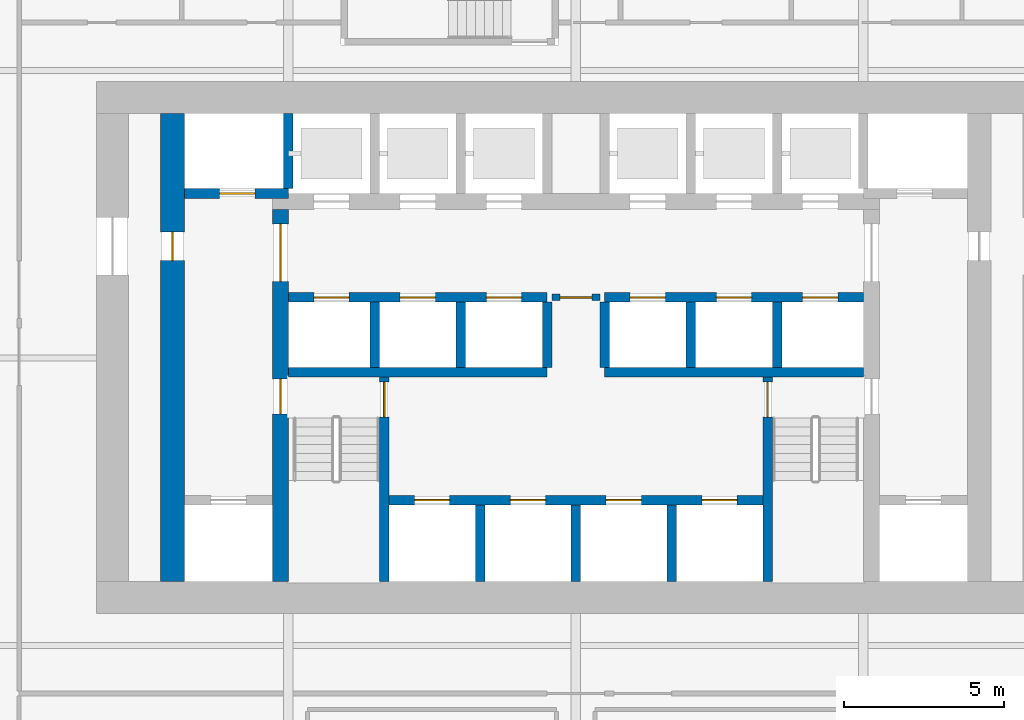
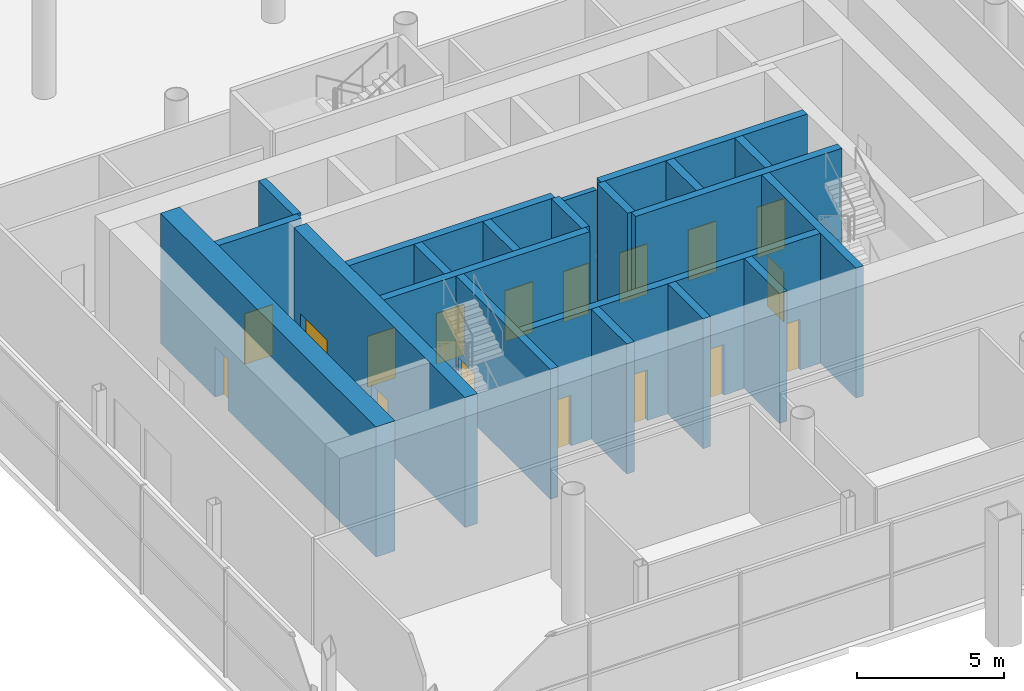
# One storey, part 9 of 13: 21 walls, 17 doors, 17 openings.
"""IFC4 building model written with IfcOpenShell, lengths in metres."""

from ifc_helpers import new_model, si_unit, direction, frame, frame_2d, origin, place, context, subcontext, project, spatial, rectangle, extrude, material, layer, layer_set, type_object, element, fill, save


model = new_model("IFC4")

# Units and contexts
model_context = context("Model", 3, precision=1e-05, world=origin(), true_north=direction((0.0, 1.0)))
body_context = subcontext(model_context, "Body", "Model", "MODEL_VIEW")
ifc_project = project(units=[si_unit("LENGTHUNIT", "METRE"), si_unit("AREAUNIT", "SQUARE_METRE"), si_unit("VOLUMEUNIT", "CUBIC_METRE"), si_unit("PLANEANGLEUNIT", "RADIAN"), si_unit("MASSUNIT", "GRAM", prefix="KILO")], contexts=[model_context])

# Site, building, storey
site_placement = place(None, origin())
site = spatial("IfcSite", under=ifc_project, at=site_placement, CompositionType="ELEMENT")
building_placement = place(site_placement, origin())
building = spatial("IfcBuilding", under=site, at=building_placement, Name="Tskaro Facet Tower", CompositionType="ELEMENT")
storey_placement = place(building_placement, frame((0.0, 0.0, 108.89990234375)))
storey = spatial("IfcBuildingStorey", under=building, at=storey_placement, Name="L26", CompositionType="ELEMENT", Elevation=108.89990234375)

# Wall, openings, doors
ifc_material_1 = material(Name="Concrete C60/75", Category="concrete")
ifc_layer_1 = layer(ifc_material_1, 0.300048828125, Name="Concrete C60/75")
ifc_layer_set_1 = layer_set([ifc_layer_1], Name="Concrete C60/75")
wall_type_1 = type_object("IfcWallType", Name="CORE-SHAFT", PredefinedType="SHEAR", material=ifc_layer_set_1)
wall_1_placement = place(storey_placement, frame((-5.85009765625, -8.949951171875, 0.0), z_axis=(0.0, 0.0, 1.0), x_axis=(1.0, 0.0, 0.0)))
wall_1 = element("IfcWall", 1, at=wall_1_placement, inside=storey, type_object=wall_type_1, Name="Shaft wall W007", PredefinedType="SHEAR", context=body_context, shape_type="SweptSolid", body=[
    extrude(rectangle(XDim=11.7001953125, YDim=0.300048828125, at=frame_2d((5.85009765625, 0.0))), origin(), (0.0, 0.0, 1.0), 5.400146484375),
])
opening_1_placement = place(wall_1_placement, frame((0.800048828125, 0.0, 0.0)))
opening_1 = element("IfcOpeningElement", 2, at=opening_1_placement, cuts=wall_1, Name="Opening LD-FF1", PredefinedType="OPENING", context=body_context, shape_type="SweptSolid", body=[
    extrude(rectangle(XDim=1.10009765625, YDim=2.10009765625, at=frame_2d((0.550048828125, 1.050048828125))), frame((0.0, 0.159912109375, 0.0), z_axis=(0.0, -1.0, 0.0), x_axis=(1.0, 0.0, 0.0)), (0.0, 0.0, 1.0), 0.320068359375),
])
opening_2_placement = place(wall_1_placement, frame((3.800048828125, 0.0, 0.0)))
opening_2 = element("IfcOpeningElement", 3, at=opening_2_placement, cuts=wall_1, Name="Opening LD-FF2", PredefinedType="OPENING", context=body_context, shape_type="SweptSolid", body=[
    extrude(rectangle(XDim=1.10009765625, YDim=2.10009765625, at=frame_2d((0.550048828125, 1.050048828125))), frame((0.0, 0.159912109375, 0.0), z_axis=(0.0, -1.0, 0.0), x_axis=(1.0, 0.0, 0.0)), (0.0, 0.0, 1.0), 0.320068359375),
])
opening_3_placement = place(wall_1_placement, frame((6.800048828125, 0.0, 0.0)))
opening_3 = element("IfcOpeningElement", 4, at=opening_3_placement, cuts=wall_1, Name="Opening LD-SV1", PredefinedType="OPENING", context=body_context, shape_type="SweptSolid", body=[
    extrude(rectangle(XDim=1.10009765625, YDim=2.10009765625, at=frame_2d((0.550048828125, 1.050048828125))), frame((0.0, 0.159912109375, 0.0), z_axis=(0.0, -1.0, 0.0), x_axis=(1.0, 0.0, 0.0)), (0.0, 0.0, 1.0), 0.320068359375),
])
opening_4_placement = place(wall_1_placement, frame((9.800048828125, 0.0, 0.0)))
opening_4 = element("IfcOpeningElement", 5, at=opening_4_placement, cuts=wall_1, Name="Opening LD-SV2", PredefinedType="OPENING", context=body_context, shape_type="SweptSolid", body=[
    extrude(rectangle(XDim=1.10009765625, YDim=2.10009765625, at=frame_2d((0.550048828125, 1.050048828125))), frame((0.0, 0.159912109375, 0.0), z_axis=(0.0, -1.0, 0.0), x_axis=(1.0, 0.0, 0.0)), (0.0, 0.0, 1.0), 0.320068359375),
])
ifc_material_2 = material(Name="Stainless steel", Category="steel")
door_type_1 = type_object("IfcDoorType", Name="D-LANDING", OperationType="NOTDEFINED", PredefinedType="DOOR", material=ifc_material_2)
door_1_placement = place(opening_1_placement, origin())
door_1 = element("IfcDoor", 6, at=door_1_placement, inside=storey, type_object=door_type_1, Name="Landing door FF1", OperationType="DOUBLE_DOOR_SLIDING", OverallHeight=2.10009765625, OverallWidth=1.10009765625, PredefinedType="DOOR", context=body_context, shape_type="SweptSolid", body=[
    extrude(rectangle(XDim=1.10009765625, YDim=2.10009765625, at=frame_2d((0.550048828125, 1.050048828125))), frame((0.0, 0.02490234375, 0.0), z_axis=(0.0, -1.0, 0.0), x_axis=(1.0, 0.0, 0.0)), (0.0, 0.0, 1.0), 0.050048828125),
])
fill(opening_1, door_1)
door_2_placement = place(opening_2_placement, origin())
door_2 = element("IfcDoor", 7, at=door_2_placement, inside=storey, type_object=door_type_1, Name="Landing door FF2", OperationType="DOUBLE_DOOR_SLIDING", OverallHeight=2.10009765625, OverallWidth=1.10009765625, PredefinedType="DOOR", context=body_context, shape_type="SweptSolid", body=[
    extrude(rectangle(XDim=1.10009765625, YDim=2.10009765625, at=frame_2d((0.550048828125, 1.050048828125))), frame((0.0, 0.02490234375, 0.0), z_axis=(0.0, -1.0, 0.0), x_axis=(1.0, 0.0, 0.0)), (0.0, 0.0, 1.0), 0.050048828125),
])
fill(opening_2, door_2)
door_3_placement = place(opening_3_placement, origin())
door_3 = element("IfcDoor", 8, at=door_3_placement, inside=storey, type_object=door_type_1, Name="Landing door SV1", OperationType="DOUBLE_DOOR_SLIDING", OverallHeight=2.10009765625, OverallWidth=1.10009765625, PredefinedType="DOOR", context=body_context, shape_type="SweptSolid", body=[
    extrude(rectangle(XDim=1.10009765625, YDim=2.10009765625, at=frame_2d((0.550048828125, 1.050048828125))), frame((0.0, 0.02490234375, 0.0), z_axis=(0.0, -1.0, 0.0), x_axis=(1.0, 0.0, 0.0)), (0.0, 0.0, 1.0), 0.050048828125),
])
fill(opening_3, door_3)
door_4_placement = place(opening_4_placement, origin())
door_4 = element("IfcDoor", 9, at=door_4_placement, inside=storey, type_object=door_type_1, Name="Landing door SV2", OperationType="DOUBLE_DOOR_SLIDING", OverallHeight=2.10009765625, OverallWidth=1.10009765625, PredefinedType="DOOR", context=body_context, shape_type="SweptSolid", body=[
    extrude(rectangle(XDim=1.10009765625, YDim=2.10009765625, at=frame_2d((0.550048828125, 1.050048828125))), frame((0.0, 0.02490234375, 0.0), z_axis=(0.0, -1.0, 0.0), x_axis=(1.0, 0.0, 0.0)), (0.0, 0.0, 1.0), 0.050048828125),
])
fill(opening_4, door_4)

# Walls
for number, where, z_axis, x_axis, name in (
    (10, (-9.0, -4.949951171875, 0.0), (0.0, 0.0, 1.0), (1.0, 0.0, 0.0), "Shaft wall W010"),
    (11, (0.89990234375, -4.949951171875, 0.0), (0.0, 0.0, 1.0), (1.0, 0.0, 0.0), "Shaft wall W011"),
):
    element("IfcWall", number, at=place(storey_placement, frame(where, z_axis=z_axis, x_axis=x_axis)), inside=storey, type_object=wall_type_1, Name=name, PredefinedType="SHEAR", context=body_context, shape_type="SweptSolid", body=[
        extrude(rectangle(XDim=8.10009765625, YDim=0.300048828125, at=frame_2d((4.050048828125, 0.0))), origin(), (0.0, 0.0, 1.0), 5.400146484375),
    ])

# Wall, openings, doors
wall_2_placement = place(storey_placement, frame((-9.0, -2.60009765625, 0.0), z_axis=(0.0, 0.0, 1.0), x_axis=(1.0, 0.0, 0.0)))
wall_2 = element("IfcWall", 12, at=wall_2_placement, inside=storey, type_object=wall_type_1, Name="Shaft wall W014", PredefinedType="SHEAR", context=body_context, shape_type="SweptSolid", body=[
    extrude(rectangle(XDim=8.10009765625, YDim=0.300048828125, at=frame_2d((4.050048828125, 0.0))), origin(), (0.0, 0.0, 1.0), 5.400146484375),
])
opening_5_placement = place(wall_2_placement, frame((0.800048828125, 0.0, 0.0)))
opening_5 = element("IfcOpeningElement", 13, at=opening_5_placement, cuts=wall_2, Name="Opening LD-LR1", PredefinedType="OPENING", context=body_context, shape_type="SweptSolid", body=[
    extrude(rectangle(XDim=1.10009765625, YDim=2.10009765625, at=frame_2d((0.550048828125, 1.050048828125))), frame((0.0, 0.159912109375, 0.0), z_axis=(0.0, -1.0, 0.0), x_axis=(1.0, 0.0, 0.0)), (0.0, 0.0, 1.0), 0.320068359375),
])
opening_6_placement = place(wall_2_placement, frame((3.5, 0.0, 0.0)))
opening_6 = element("IfcOpeningElement", 14, at=opening_6_placement, cuts=wall_2, Name="Opening LD-LR2", PredefinedType="OPENING", context=body_context, shape_type="SweptSolid", body=[
    extrude(rectangle(XDim=1.10009765625, YDim=2.10009765625, at=frame_2d((0.550048828125, 1.050048828125))), frame((0.0, 0.159912109375, 0.0), z_axis=(0.0, -1.0, 0.0), x_axis=(1.0, 0.0, 0.0)), (0.0, 0.0, 1.0), 0.320068359375),
])
opening_7_placement = place(wall_2_placement, frame((6.199951171875, 0.0, 0.0)))
opening_7 = element("IfcOpeningElement", 15, at=opening_7_placement, cuts=wall_2, Name="Opening LD-LR3", PredefinedType="OPENING", context=body_context, shape_type="SweptSolid", body=[
    extrude(rectangle(XDim=1.10009765625, YDim=2.10009765625, at=frame_2d((0.550048828125, 1.050048828125))), frame((0.0, 0.159912109375, 0.0), z_axis=(0.0, -1.0, 0.0), x_axis=(1.0, 0.0, 0.0)), (0.0, 0.0, 1.0), 0.320068359375),
])
door_5_placement = place(opening_5_placement, origin())
door_5 = element("IfcDoor", 16, at=door_5_placement, inside=storey, type_object=door_type_1, Name="Landing door LR1", OperationType="DOUBLE_DOOR_SLIDING", OverallHeight=2.10009765625, OverallWidth=1.10009765625, PredefinedType="DOOR", context=body_context, shape_type="SweptSolid", body=[
    extrude(rectangle(XDim=1.10009765625, YDim=2.10009765625, at=frame_2d((0.550048828125, 1.050048828125))), frame((0.0, 0.02490234375, 0.0), z_axis=(0.0, -1.0, 0.0), x_axis=(1.0, 0.0, 0.0)), (0.0, 0.0, 1.0), 0.050048828125),
])
fill(opening_5, door_5)
door_6_placement = place(opening_6_placement, origin())
door_6 = element("IfcDoor", 17, at=door_6_placement, inside=storey, type_object=door_type_1, Name="Landing door LR2", OperationType="DOUBLE_DOOR_SLIDING", OverallHeight=2.10009765625, OverallWidth=1.10009765625, PredefinedType="DOOR", context=body_context, shape_type="SweptSolid", body=[
    extrude(rectangle(XDim=1.10009765625, YDim=2.10009765625, at=frame_2d((0.550048828125, 1.050048828125))), frame((0.0, 0.02490234375, 0.0), z_axis=(0.0, -1.0, 0.0), x_axis=(1.0, 0.0, 0.0)), (0.0, 0.0, 1.0), 0.050048828125),
])
fill(opening_6, door_6)
door_7_placement = place(opening_7_placement, origin())
door_7 = element("IfcDoor", 18, at=door_7_placement, inside=storey, type_object=door_type_1, Name="Landing door LR3", OperationType="DOUBLE_DOOR_SLIDING", OverallHeight=2.10009765625, OverallWidth=1.10009765625, PredefinedType="DOOR", context=body_context, shape_type="SweptSolid", body=[
    extrude(rectangle(XDim=1.10009765625, YDim=2.10009765625, at=frame_2d((0.550048828125, 1.050048828125))), frame((0.0, 0.02490234375, 0.0), z_axis=(0.0, -1.0, 0.0), x_axis=(1.0, 0.0, 0.0)), (0.0, 0.0, 1.0), 0.050048828125),
])
fill(opening_7, door_7)

wall_3_placement = place(storey_placement, frame((0.89990234375, -2.60009765625, 0.0), z_axis=(0.0, 0.0, 1.0), x_axis=(1.0, 0.0, 0.0)))
wall_3 = element("IfcWall", 19, at=wall_3_placement, inside=storey, type_object=wall_type_1, Name="Shaft wall W016", PredefinedType="SHEAR", context=body_context, shape_type="SweptSolid", body=[
    extrude(rectangle(XDim=8.10009765625, YDim=0.300048828125, at=frame_2d((4.050048828125, 0.0))), origin(), (0.0, 0.0, 1.0), 5.400146484375),
])
opening_8_placement = place(wall_3_placement, frame((0.800048828125, 0.0, 0.0)))
opening_8 = element("IfcOpeningElement", 20, at=opening_8_placement, cuts=wall_3, Name="Opening LD-LR4", PredefinedType="OPENING", context=body_context, shape_type="SweptSolid", body=[
    extrude(rectangle(XDim=1.10009765625, YDim=2.10009765625, at=frame_2d((0.550048828125, 1.050048828125))), frame((0.0, 0.159912109375, 0.0), z_axis=(0.0, -1.0, 0.0), x_axis=(1.0, 0.0, 0.0)), (0.0, 0.0, 1.0), 0.320068359375),
])
opening_9_placement = place(wall_3_placement, frame((3.5, 0.0, 0.0)))
opening_9 = element("IfcOpeningElement", 21, at=opening_9_placement, cuts=wall_3, Name="Opening LD-LR5", PredefinedType="OPENING", context=body_context, shape_type="SweptSolid", body=[
    extrude(rectangle(XDim=1.10009765625, YDim=2.10009765625, at=frame_2d((0.550048828125, 1.050048828125))), frame((0.0, 0.159912109375, 0.0), z_axis=(0.0, -1.0, 0.0), x_axis=(1.0, 0.0, 0.0)), (0.0, 0.0, 1.0), 0.320068359375),
])
opening_10_placement = place(wall_3_placement, frame((6.199951171875, 0.0, 0.0)))
opening_10 = element("IfcOpeningElement", 22, at=opening_10_placement, cuts=wall_3, Name="Opening LD-LR6", PredefinedType="OPENING", context=body_context, shape_type="SweptSolid", body=[
    extrude(rectangle(XDim=1.10009765625, YDim=2.10009765625, at=frame_2d((0.550048828125, 1.050048828125))), frame((0.0, 0.159912109375, 0.0), z_axis=(0.0, -1.0, 0.0), x_axis=(1.0, 0.0, 0.0)), (0.0, 0.0, 1.0), 0.320068359375),
])
door_8_placement = place(opening_8_placement, origin())
door_8 = element("IfcDoor", 23, at=door_8_placement, inside=storey, type_object=door_type_1, Name="Landing door LR4", OperationType="DOUBLE_DOOR_SLIDING", OverallHeight=2.10009765625, OverallWidth=1.10009765625, PredefinedType="DOOR", context=body_context, shape_type="SweptSolid", body=[
    extrude(rectangle(XDim=1.10009765625, YDim=2.10009765625, at=frame_2d((0.550048828125, 1.050048828125))), frame((0.0, 0.02490234375, 0.0), z_axis=(0.0, -1.0, 0.0), x_axis=(1.0, 0.0, 0.0)), (0.0, 0.0, 1.0), 0.050048828125),
])
fill(opening_8, door_8)
door_9_placement = place(opening_9_placement, origin())
door_9 = element("IfcDoor", 24, at=door_9_placement, inside=storey, type_object=door_type_1, Name="Landing door LR5", OperationType="DOUBLE_DOOR_SLIDING", OverallHeight=2.10009765625, OverallWidth=1.10009765625, PredefinedType="DOOR", context=body_context, shape_type="SweptSolid", body=[
    extrude(rectangle(XDim=1.10009765625, YDim=2.10009765625, at=frame_2d((0.550048828125, 1.050048828125))), frame((0.0, 0.02490234375, 0.0), z_axis=(0.0, -1.0, 0.0), x_axis=(1.0, 0.0, 0.0)), (0.0, 0.0, 1.0), 0.050048828125),
])
fill(opening_9, door_9)
door_10_placement = place(opening_10_placement, origin())
door_10 = element("IfcDoor", 25, at=door_10_placement, inside=storey, type_object=door_type_1, Name="Landing door LR6", OperationType="DOUBLE_DOOR_SLIDING", OverallHeight=2.10009765625, OverallWidth=1.10009765625, PredefinedType="DOOR", context=body_context, shape_type="SweptSolid", body=[
    extrude(rectangle(XDim=1.10009765625, YDim=2.10009765625, at=frame_2d((0.550048828125, 1.050048828125))), frame((0.0, 0.02490234375, 0.0), z_axis=(0.0, -1.0, 0.0), x_axis=(1.0, 0.0, 0.0)), (0.0, 0.0, 1.0), 0.050048828125),
])
fill(opening_10, door_10)

# Wall, opening, door
wall_4_placement = place(storey_placement, frame((-9.0, 0.64990234375, 0.0), z_axis=(0.0, 0.0, 1.0), x_axis=(-1.0, 0.0, 0.0)))
wall_4 = element("IfcWall", 26, at=wall_4_placement, inside=storey, type_object=wall_type_1, Name="Shaft wall W017", PredefinedType="SHEAR", context=body_context, shape_type="SweptSolid", body=[
    extrude(rectangle(XDim=3.25, YDim=0.300048828125, at=frame_2d((1.625, 0.0))), origin(), (0.0, 0.0, 1.0), 5.400146484375),
])
opening_11_placement = place(wall_4_placement, frame((1.050048828125, 0.0, 0.0)))
opening_11 = element("IfcOpeningElement", 27, at=opening_11_placement, cuts=wall_4, Name="Opening LD-SHWN", PredefinedType="OPENING", context=body_context, shape_type="SweptSolid", body=[
    extrude(rectangle(XDim=1.10009765625, YDim=2.10009765625, at=frame_2d((0.550048828125, 1.050048828125))), frame((0.0, 0.159912109375, 0.0), z_axis=(0.0, -1.0, 0.0), x_axis=(1.0, 0.0, 0.0)), (0.0, 0.0, 1.0), 0.320068359375),
])
door_11_placement = place(opening_11_placement, origin())
door_11 = element("IfcDoor", 28, at=door_11_placement, inside=storey, type_object=door_type_1, Name="Landing door shuttle W2", OperationType="DOUBLE_DOOR_SLIDING", OverallHeight=2.10009765625, OverallWidth=1.10009765625, PredefinedType="DOOR", context=body_context, shape_type="SweptSolid", body=[
    extrude(rectangle(XDim=1.10009765625, YDim=2.10009765625, at=frame_2d((0.550048828125, 1.050048828125))), frame((0.0, 0.02490234375, 0.0), z_axis=(0.0, -1.0, 0.0), x_axis=(1.0, 0.0, 0.0)), (0.0, 0.0, 1.0), 0.050048828125),
])
fill(opening_11, door_11)

# Walls
wall_5_placement = place(storey_placement, frame((-9.0, 0.800048828125, 0.0), z_axis=(0.0, 0.0, 1.0), x_axis=(0.0, 1.0, 0.0)))
element("IfcWall", 29, at=wall_5_placement, inside=storey, type_object=wall_type_1, Name="Shaft wall W032", PredefinedType="SHEAR", context=body_context, shape_type="SweptSolid", body=[
    extrude(rectangle(XDim=2.349853515625, YDim=0.300048828125, at=frame_2d((1.1748046875, 0.0))), origin(), (0.0, 0.0, 1.0), 5.400146484375),
])
wall_6_placement = place(storey_placement, frame((-6.300048828125, -4.800048828125, 0.0), z_axis=(0.0, 0.0, 1.0), x_axis=(0.0, 1.0, 0.0)))
element("IfcWall", 30, at=wall_6_placement, inside=storey, type_object=wall_type_1, Name="Shaft wall W035", PredefinedType="SHEAR", context=body_context, shape_type="SweptSolid", body=[
    extrude(rectangle(XDim=2.050048828125, YDim=0.300048828125, at=frame_2d((1.02490234375, 0.0))), origin(), (0.0, 0.0, 1.0), 5.400146484375),
])

# Wall, opening, door
wall_7_placement = place(storey_placement, frame((-6.0, -11.5, 0.0), z_axis=(0.0, 0.0, 1.0), x_axis=(0.0, 1.0, 0.0)))
wall_7 = element("IfcWall", 31, at=wall_7_placement, inside=storey, type_object=wall_type_1, Name="Shaft wall W037", PredefinedType="SHEAR", context=body_context, shape_type="SweptSolid", body=[
    extrude(rectangle(XDim=6.39990234375, YDim=0.300048828125, at=frame_2d((3.199951171875, 0.0))), origin(), (0.0, 0.0, 1.0), 5.400146484375),
])
opening_12_placement = place(wall_7_placement, frame((5.14990234375, 0.0, 0.0)))
opening_12 = element("IfcOpeningElement", 32, at=opening_12_placement, cuts=wall_7, Name="Opening ST-1-D1", PredefinedType="OPENING", context=body_context, shape_type="SweptSolid", body=[
    extrude(rectangle(XDim=1.10009765625, YDim=2.10009765625, at=frame_2d((0.550048828125, 1.050048828125))), frame((0.0, 0.159912109375, 0.0), z_axis=(0.0, -1.0, 0.0), x_axis=(1.0, 0.0, 0.0)), (0.0, 0.0, 1.0), 0.320068359375),
])
ifc_material_3 = material(Name="Steel", Category="steel")
door_type_2 = type_object("IfcDoorType", Name="D-STAIR", OperationType="NOTDEFINED", PredefinedType="DOOR", material=ifc_material_3)
door_12_placement = place(opening_12_placement, origin())
door_12 = element("IfcDoor", 33, at=door_12_placement, inside=storey, type_object=door_type_2, Name="Stair door 1", OperationType="SINGLE_SWING_LEFT", OverallHeight=2.10009765625, OverallWidth=1.10009765625, PredefinedType="DOOR", context=body_context, shape_type="SweptSolid", body=[
    extrude(rectangle(XDim=1.10009765625, YDim=2.10009765625, at=frame_2d((0.550048828125, 1.050048828125))), frame((0.0, 0.02490234375, 0.0), z_axis=(0.0, -1.0, 0.0), x_axis=(1.0, 0.0, 0.0)), (0.0, 0.0, 1.0), 0.050048828125),
])
fill(opening_12, door_12)

# Walls
wall_8_placement = place(storey_placement, frame((-3.60009765625, -4.800048828125, 0.0), z_axis=(0.0, 0.0, 1.0), x_axis=(0.0, 1.0, 0.0)))
element("IfcWall", 34, at=wall_8_placement, inside=storey, type_object=wall_type_1, Name="Shaft wall W038", PredefinedType="SHEAR", context=body_context, shape_type="SweptSolid", body=[
    extrude(rectangle(XDim=2.050048828125, YDim=0.300048828125, at=frame_2d((1.02490234375, 0.0))), origin(), (0.0, 0.0, 1.0), 5.400146484375),
])
wall_9_placement = place(storey_placement, frame((-3.0, -11.5, 0.0), z_axis=(0.0, 0.0, 1.0), x_axis=(0.0, 1.0, 0.0)))
element("IfcWall", 35, at=wall_9_placement, inside=storey, type_object=wall_type_1, Name="Shaft wall W040", PredefinedType="SHEAR", context=body_context, shape_type="SweptSolid", body=[
    extrude(rectangle(XDim=2.39990234375, YDim=0.300048828125, at=frame_2d((1.199951171875, 0.0))), origin(), (0.0, 0.0, 1.0), 5.400146484375),
])
wall_10_placement = place(storey_placement, frame((-0.89990234375, -4.800048828125, 0.0), z_axis=(0.0, 0.0, 1.0), x_axis=(0.0, 1.0, 0.0)))
element("IfcWall", 36, at=wall_10_placement, inside=storey, type_object=wall_type_1, Name="Shaft wall W041", PredefinedType="SHEAR", context=body_context, shape_type="SweptSolid", body=[
    extrude(rectangle(XDim=2.050048828125, YDim=0.300048828125, at=frame_2d((1.02490234375, 0.0))), origin(), (0.0, 0.0, 1.0), 5.400146484375),
])
wall_11_placement = place(storey_placement, frame((0.0, -11.5, 0.0), z_axis=(0.0, 0.0, 1.0), x_axis=(0.0, 1.0, 0.0)))
element("IfcWall", 37, at=wall_11_placement, inside=storey, type_object=wall_type_1, Name="Shaft wall W045", PredefinedType="SHEAR", context=body_context, shape_type="SweptSolid", body=[
    extrude(rectangle(XDim=2.39990234375, YDim=0.300048828125, at=frame_2d((1.199951171875, 0.0))), origin(), (0.0, 0.0, 1.0), 5.400146484375),
])
wall_12_placement = place(storey_placement, frame((0.89990234375, -4.800048828125, 0.0), z_axis=(0.0, 0.0, 1.0), x_axis=(0.0, 1.0, 0.0)))
element("IfcWall", 38, at=wall_12_placement, inside=storey, type_object=wall_type_1, Name="Shaft wall W047", PredefinedType="SHEAR", context=body_context, shape_type="SweptSolid", body=[
    extrude(rectangle(XDim=2.050048828125, YDim=0.300048828125, at=frame_2d((1.02490234375, 0.0))), origin(), (0.0, 0.0, 1.0), 5.400146484375),
])
wall_13_placement = place(storey_placement, frame((3.0, -11.5, 0.0), z_axis=(0.0, 0.0, 1.0), x_axis=(0.0, 1.0, 0.0)))
element("IfcWall", 39, at=wall_13_placement, inside=storey, type_object=wall_type_1, Name="Shaft wall W050", PredefinedType="SHEAR", context=body_context, shape_type="SweptSolid", body=[
    extrude(rectangle(XDim=2.39990234375, YDim=0.300048828125, at=frame_2d((1.199951171875, 0.0))), origin(), (0.0, 0.0, 1.0), 5.400146484375),
])
wall_14_placement = place(storey_placement, frame((3.60009765625, -4.800048828125, 0.0), z_axis=(0.0, 0.0, 1.0), x_axis=(0.0, 1.0, 0.0)))
element("IfcWall", 40, at=wall_14_placement, inside=storey, type_object=wall_type_1, Name="Shaft wall W051", PredefinedType="SHEAR", context=body_context, shape_type="SweptSolid", body=[
    extrude(rectangle(XDim=2.050048828125, YDim=0.300048828125, at=frame_2d((1.02490234375, 0.0))), origin(), (0.0, 0.0, 1.0), 5.400146484375),
])

# Wall, opening, door
wall_15_placement = place(storey_placement, frame((6.0, -5.10009765625, 0.0), z_axis=(0.0, 0.0, 1.0), x_axis=(0.0, -1.0, 0.0)))
wall_15 = element("IfcWall", 41, at=wall_15_placement, inside=storey, type_object=wall_type_1, Name="Shaft wall W053", PredefinedType="SHEAR", context=body_context, shape_type="SweptSolid", body=[
    extrude(rectangle(XDim=6.39990234375, YDim=0.300048828125, at=frame_2d((3.199951171875, 0.0))), origin(), (0.0, 0.0, 1.0), 5.400146484375),
])
opening_13_placement = place(wall_15_placement, frame((0.14990234375, 0.0, 0.0)))
opening_13 = element("IfcOpeningElement", 42, at=opening_13_placement, cuts=wall_15, Name="Opening ST-2-D1", PredefinedType="OPENING", context=body_context, shape_type="SweptSolid", body=[
    extrude(rectangle(XDim=1.10009765625, YDim=2.10009765625, at=frame_2d((0.550048828125, 1.050048828125))), frame((0.0, 0.159912109375, 0.0), z_axis=(0.0, -1.0, 0.0), x_axis=(1.0, 0.0, 0.0)), (0.0, 0.0, 1.0), 0.320068359375),
])
door_13_placement = place(opening_13_placement, origin())
door_13 = element("IfcDoor", 43, at=door_13_placement, inside=storey, type_object=door_type_2, Name="Stair door 2", OperationType="SINGLE_SWING_RIGHT", OverallHeight=2.10009765625, OverallWidth=1.10009765625, PredefinedType="DOOR", context=body_context, shape_type="SweptSolid", body=[
    extrude(rectangle(XDim=1.10009765625, YDim=2.10009765625, at=frame_2d((0.550048828125, 1.050048828125))), frame((0.0, 0.02490234375, 0.0), z_axis=(0.0, -1.0, 0.0), x_axis=(1.0, 0.0, 0.0)), (0.0, 0.0, 1.0), 0.050048828125),
])
fill(opening_13, door_13)

# Wall
wall_16_placement = place(storey_placement, frame((6.300048828125, -4.800048828125, 0.0), z_axis=(0.0, 0.0, 1.0), x_axis=(0.0, 1.0, 0.0)))
element("IfcWall", 44, at=wall_16_placement, inside=storey, type_object=wall_type_1, Name="Shaft wall W054", PredefinedType="SHEAR", context=body_context, shape_type="SweptSolid", body=[
    extrude(rectangle(XDim=2.050048828125, YDim=0.300048828125, at=frame_2d((1.02490234375, 0.0))), origin(), (0.0, 0.0, 1.0), 5.400146484375),
])

# Wall, opening, door
ifc_material_4 = material(Name="Concrete C20/25", Category="concrete")
ifc_layer_2 = layer(ifc_material_4, 0.199951171875, Name="Concrete C20/25")
ifc_layer_set_2 = layer_set([ifc_layer_2], Name="Concrete C20/25")
wall_type_2 = type_object("IfcWallType", Name="CORE-WALL", PredefinedType="SOLIDWALL", material=ifc_layer_set_2)
wall_17_placement = place(storey_placement, frame((0.75, -2.60009765625, 0.0), z_axis=(0.0, 0.0, 1.0), x_axis=(-1.0, 0.0, 0.0)))
wall_17 = element("IfcWall", 45, at=wall_17_placement, inside=storey, type_object=wall_type_2, Name="Core room wall W015", PredefinedType="SOLIDWALL", context=body_context, shape_type="SweptSolid", body=[
    extrude(rectangle(XDim=1.5, YDim=0.199951171875, at=frame_2d((0.75, 0.0))), origin(), (0.0, 0.0, 1.0), 5.10009765625),
])
opening_14_placement = place(wall_17_placement, frame((0.25, 0.0, 0.0)))
opening_14 = element("IfcOpeningElement", 46, at=opening_14_placement, cuts=wall_17, Name="Opening FL-D1", PredefinedType="OPENING", context=body_context, shape_type="SweptSolid", body=[
    extrude(rectangle(XDim=1.0, YDim=2.10009765625, at=frame_2d((0.5, 1.050048828125))), frame((0.0, 0.10986328125, 0.0), z_axis=(0.0, -1.0, 0.0), x_axis=(1.0, 0.0, 0.0)), (0.0, 0.0, 1.0), 0.219970703125),
])
door_type_3 = type_object("IfcDoorType", Name="D-LOBBY", OperationType="NOTDEFINED", PredefinedType="DOOR", material=ifc_material_3)
door_14_placement = place(opening_14_placement, origin())
door_14 = element("IfcDoor", 47, at=door_14_placement, inside=storey, type_object=door_type_3, Name="Lobby door FL", OperationType="SINGLE_SWING_RIGHT", OverallHeight=2.10009765625, OverallWidth=1.0, PredefinedType="DOOR", context=body_context, shape_type="SweptSolid", body=[
    extrude(rectangle(XDim=1.0, YDim=2.10009765625, at=frame_2d((0.5, 1.050048828125))), frame((0.0, 0.02490234375, 0.0), z_axis=(0.0, -1.0, 0.0), x_axis=(1.0, 0.0, 0.0)), (0.0, 0.0, 1.0), 0.050048828125),
])
fill(opening_14, door_14)

# Wall, openings, doors
ifc_material_5 = material(Name="Concrete C40/50", Category="concrete")
ifc_layer_3 = layer(ifc_material_5, 0.5, Name="Concrete C40/50")
ifc_layer_set_3 = layer_set([ifc_layer_3], Name="Concrete C40/50")
wall_type_3 = type_object("IfcWallType", Name="Core wall 500", PredefinedType="SHEAR", material=ifc_layer_set_3)
wall_18_placement = place(storey_placement, frame((-9.25, -11.5, 0.0), z_axis=(0.0, 0.0, 1.0), x_axis=(0.0, 1.0, 0.0)))
wall_18 = element("IfcWall", 48, at=wall_18_placement, inside=storey, type_object=wall_type_3, Name="Core wall CW-Z3W", PredefinedType="SHEAR", context=body_context, shape_type="SweptSolid", body=[
    extrude(rectangle(XDim=11.64990234375, YDim=0.5, at=frame_2d((5.824951171875, 0.0))), origin(), (0.0, 0.0, 1.0), 5.400146484375),
])
opening_15_placement = place(wall_18_placement, frame((9.39990234375, 0.0, 0.0)))
opening_15 = element("IfcOpeningElement", 49, at=opening_15_placement, cuts=wall_18, Name="Opening S26-D11", PredefinedType="OPENING", context=body_context, shape_type="SweptSolid", body=[
    extrude(rectangle(XDim=1.800048828125, YDim=2.10009765625, at=frame_2d((0.89990234375, 1.050048828125))), frame((0.0, 0.260009765625, 0.0), z_axis=(0.0, -1.0, 0.0), x_axis=(1.0, 0.0, 0.0)), (0.0, 0.0, 1.0), 0.52001953125),
])
opening_16_placement = place(wall_18_placement, frame((5.25, 0.0, 0.0)))
opening_16 = element("IfcOpeningElement", 50, at=opening_16_placement, cuts=wall_18, Name="Opening ST-1-D2", PredefinedType="OPENING", context=body_context, shape_type="SweptSolid", body=[
    extrude(rectangle(XDim=1.10009765625, YDim=2.10009765625, at=frame_2d((0.550048828125, 1.050048828125))), frame((0.0, 0.260009765625, 0.0), z_axis=(0.0, -1.0, 0.0), x_axis=(1.0, 0.0, 0.0)), (0.0, 0.0, 1.0), 0.52001953125),
])
door_type_4 = type_object("IfcDoorType", Name="D-CORE-PAIR", OperationType="NOTDEFINED", PredefinedType="DOOR", material=ifc_material_3)
door_15_placement = place(opening_15_placement, origin())
door_15 = element("IfcDoor", 51, at=door_15_placement, inside=storey, type_object=door_type_4, Name="Door S26-D11", OperationType="DOUBLE_DOOR_SINGLE_SWING", OverallHeight=2.10009765625, OverallWidth=1.800048828125, PredefinedType="DOOR", context=body_context, shape_type="SweptSolid", body=[
    extrude(rectangle(XDim=1.800048828125, YDim=2.10009765625, at=frame_2d((0.89990234375, 1.050048828125))), frame((0.0, 0.02490234375, 0.0), z_axis=(0.0, -1.0, 0.0), x_axis=(1.0, 0.0, 0.0)), (0.0, 0.0, 1.0), 0.050048828125),
])
fill(opening_15, door_15)
door_16_placement = place(opening_16_placement, origin())
door_16 = element("IfcDoor", 52, at=door_16_placement, inside=storey, type_object=door_type_2, Name="Stair door 1 west", OperationType="SINGLE_SWING_LEFT", OverallHeight=2.10009765625, OverallWidth=1.10009765625, PredefinedType="DOOR", context=body_context, shape_type="SweptSolid", body=[
    extrude(rectangle(XDim=1.10009765625, YDim=2.10009765625, at=frame_2d((0.550048828125, 1.050048828125))), frame((0.0, 0.02490234375, 0.0), z_axis=(0.0, -1.0, 0.0), x_axis=(1.0, 0.0, 0.0)), (0.0, 0.0, 1.0), 0.050048828125),
])
fill(opening_16, door_16)

# Wall, opening, door
ifc_material_6 = material(Name="Concrete C50/60", Category="concrete")
ifc_layer_4 = layer(ifc_material_6, 0.75, Name="Concrete C50/60")
ifc_layer_set_4 = layer_set([ifc_layer_4], Name="Concrete C50/60")
wall_type_4 = type_object("IfcWallType", Name="Core wall 750", PredefinedType="SHEAR", material=ifc_layer_set_4)
wall_19_placement = place(storey_placement, frame((-12.625, -11.5, 0.0), z_axis=(0.0, 0.0, 1.0), x_axis=(0.0, 1.0, 0.0)))
wall_19 = element("IfcWall", 53, at=wall_19_placement, inside=storey, type_object=wall_type_4, Name="Core wall CW-Z2W", PredefinedType="SHEAR", context=body_context, shape_type="SweptSolid", body=[
    extrude(rectangle(XDim=14.64990234375, YDim=0.75, at=frame_2d((7.324951171875, 0.0))), origin(), (0.0, 0.0, 1.0), 5.400146484375),
])
opening_17_placement = place(wall_19_placement, frame((10.050048828125, 0.0, 0.0)))
opening_17 = element("IfcOpeningElement", 54, at=opening_17_placement, cuts=wall_19, Name="Opening S26-D14", PredefinedType="OPENING", context=body_context, shape_type="SweptSolid", body=[
    extrude(rectangle(XDim=0.89990234375, YDim=2.10009765625, at=frame_2d((0.449951171875, 1.050048828125))), frame((0.0, 0.385009765625, 0.0), z_axis=(0.0, -1.0, 0.0), x_axis=(1.0, 0.0, 0.0)), (0.0, 0.0, 1.0), 0.77001953125),
])
ifc_material_7 = material(Name="Timber", Category="wood")
door_type_5 = type_object("IfcDoorType", Name="D-ROOM", OperationType="NOTDEFINED", PredefinedType="DOOR", material=ifc_material_7)
door_17_placement = place(opening_17_placement, origin())
door_17 = element("IfcDoor", 55, at=door_17_placement, inside=storey, type_object=door_type_5, Name="Door S26-D14", OperationType="SINGLE_SWING_LEFT", OverallHeight=2.10009765625, OverallWidth=0.89990234375, PredefinedType="DOOR", context=body_context, shape_type="SweptSolid", body=[
    extrude(rectangle(XDim=0.89990234375, YDim=2.10009765625, at=frame_2d((0.449951171875, 1.050048828125))), frame((0.0, 0.02490234375, 0.0), z_axis=(0.0, -1.0, 0.0), x_axis=(1.0, 0.0, 0.0)), (0.0, 0.0, 1.0), 0.050048828125),
])
fill(opening_17, door_17)

save(model, "model.ifc")
